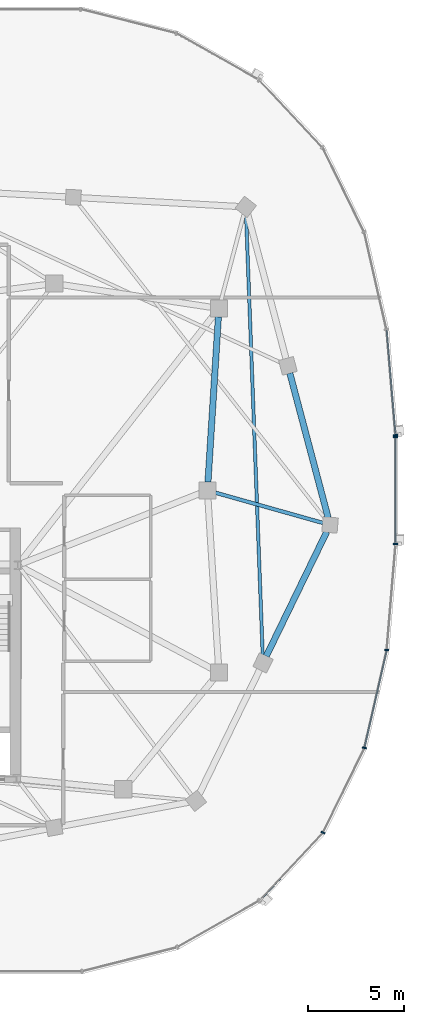
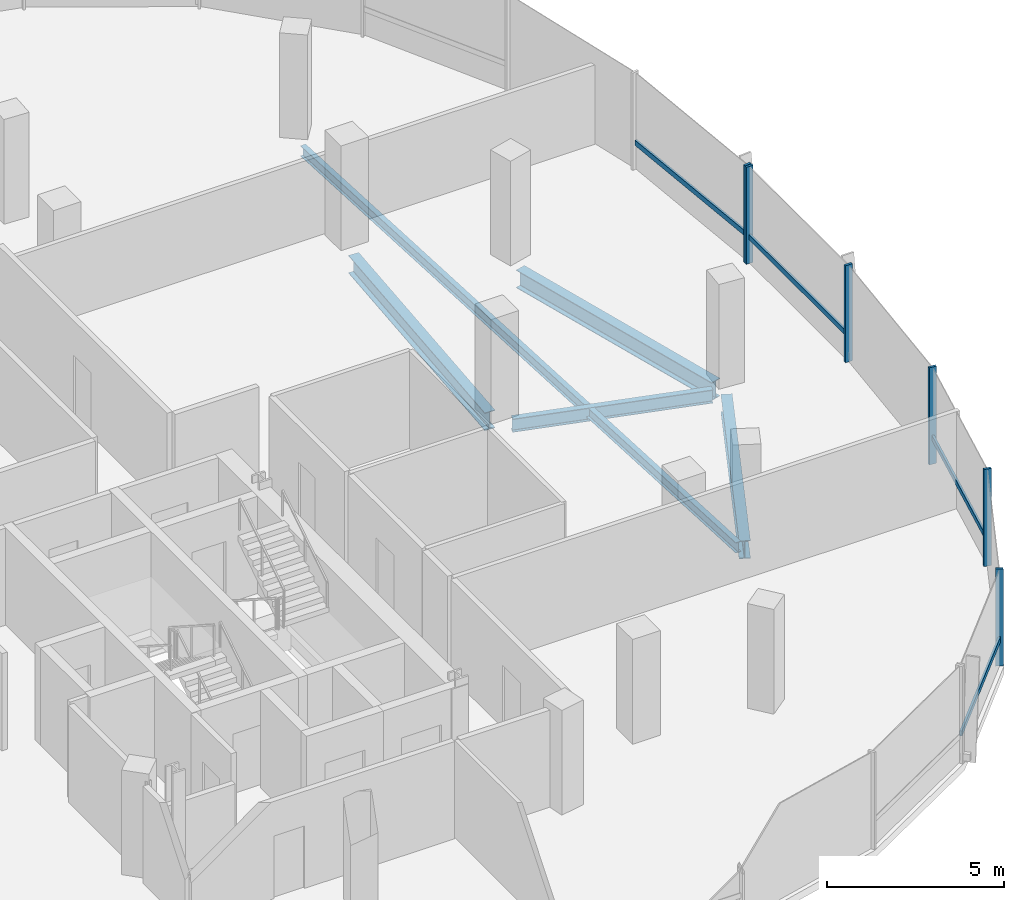
# One storey, part 9 of 25: 10 members, 5 beams, 2 elements without a shape of their own.
"""IFC4 building model written with IfcOpenShell, lengths in metres."""

from ifc_helpers import new_model, si_unit, direction, frame, origin, origin_2d, place, context, subcontext, project, spatial, rectangle, i_section, extrude, material, material_profile, profile_set, type_object, element, aggregate, save


model = new_model("IFC4")

# Units and contexts
model_context = context("Model", 3, precision=1e-05, world=origin(), true_north=direction((0.0, 1.0)))
body_context = subcontext(model_context, "Body", "Model", "MODEL_VIEW")
ifc_project = project(units=[si_unit("LENGTHUNIT", "METRE"), si_unit("AREAUNIT", "SQUARE_METRE"), si_unit("VOLUMEUNIT", "CUBIC_METRE"), si_unit("PLANEANGLEUNIT", "RADIAN"), si_unit("MASSUNIT", "GRAM", prefix="KILO"), si_unit("THERMODYNAMICTEMPERATUREUNIT", "KELVIN"), si_unit("POWERUNIT", "WATT")], contexts=[model_context])

# Site, building, storey
site_placement = place(None, origin())
site = spatial("IfcSite", under=ifc_project, at=site_placement, CompositionType="ELEMENT")
building_placement = place(site_placement, origin())
building = spatial("IfcBuilding", under=site, at=building_placement, Name="Cundina Bronze Exchange", CompositionType="ELEMENT")
storey_placement = place(building_placement, frame((0.0, 0.0, 254.0)))
storey = spatial("IfcBuildingStorey", under=building, at=storey_placement, Name="L67", CompositionType="ELEMENT", Elevation=254.0)

# Beams
ifc_material_1 = material(Name="Steel ASTM A992 Grade 50", Category="steel")
ifc_material_profile_1 = material_profile(ifc_material_1, i_section(OverallWidth=0.19091796875, OverallDepth=0.4599609375, WebThickness=0.010009765625, FlangeThickness=0.01611328125, FilletRadius=0.011962890625, at=origin_2d()), Name="W18X55", Category="steel")
ifc_profile_set_1 = profile_set([ifc_material_profile_1], Name="Steel ASTM A992 Grade 50")
beam_type_1 = type_object("IfcBeamType", Name="BM-FLR-W18B", PredefinedType="BEAM", material=ifc_profile_set_1)
beam_1_placement = place(storey_placement, frame((41.62158203125, -0.11865234375, -0.489990234375), z_axis=(0.962650257113, -0.270748005496, 0.0), x_axis=(0.270748005496, 0.962650257113, 0.0)))
element("IfcBeam", 1, at=beam_1_placement, inside=storey, type_object=beam_type_1, Name="L67 Leg E Chordal Floor Beam 08", PredefinedType="BEAM", context=body_context, shape_type="SweptSolid", body=[
    extrude(i_section(OverallWidth=0.19091796875, OverallDepth=0.4599609375, WebThickness=0.010009765625, FlangeThickness=0.01611328125, FilletRadius=0.011962890625, at=origin_2d()), origin(), (0.0, 0.0, 1.0), 5.822509765625),
])
ifc_material_profile_2 = material_profile(ifc_material_1, i_section(OverallWidth=0.172119140625, OverallDepth=0.35791015625, WebThickness=0.0078125, FlangeThickness=0.01318359375, FilletRadius=0.010009765625, at=origin_2d()), Name="W14X38", Category="steel")
ifc_profile_set_2 = profile_set([ifc_material_profile_2], Name="Steel ASTM A992 Grade 50")
beam_type_2 = type_object("IfcBeamType", Name="BM-JST-W14", PredefinedType="JOIST", material=ifc_profile_set_2)
beam_2_placement = place(storey_placement, frame((44.085205078125, -8.6123046875, -0.43896484375), z_axis=(-0.037784872152, 0.999285896746, 0.0), x_axis=(-0.999285896746, -0.037784872152, 0.0)))
element("IfcBeam", 2, at=beam_2_placement, inside=storey, type_object=beam_type_2, Name="L67 Leg E Lobe Floor Joist 07-10", PredefinedType="JOIST", context=body_context, shape_type="SweptSolid", body=[
    extrude(i_section(OverallWidth=0.172119140625, OverallDepth=0.35791015625, WebThickness=0.0078125, FlangeThickness=0.01318359375, FilletRadius=0.010009765625, at=origin_2d()), origin(), (0.0, 0.0, 1.0), 23.041015625),
])
ifc_material_profile_3 = material_profile(ifc_material_1, i_section(OverallWidth=0.324951171875, OverallDepth=0.615966796875, WebThickness=0.013916015625, FlangeThickness=0.021484375, FilletRadius=0.01611328125, at=origin_2d()), Name="W24X117", Category="steel")
ifc_profile_set_3 = profile_set([ifc_material_profile_3], Name="Steel ASTM A992 Grade 50")
beam_type_3 = type_object("IfcBeamType", Name="BM-RING-W24", PredefinedType="USERDEFINED", material=ifc_profile_set_3)
beam_3_placement = place(storey_placement, frame((41.2275390625, 0.43701171875, -0.568115234375), z_axis=(0.063046519736, 0.998010589297, 0.0), x_axis=(-0.998010589297, 0.063046519736, 0.0)))
element("IfcBeam", 3, at=beam_3_placement, inside=storey, type_object=beam_type_3, Name="L67 E Inner Structural Ring Girder 04", ObjectType="GIRDER", PredefinedType="USERDEFINED", context=body_context, shape_type="SweptSolid", body=[
    extrude(i_section(OverallWidth=0.324951171875, OverallDepth=0.615966796875, WebThickness=0.013916015625, FlangeThickness=0.021484375, FilletRadius=0.01611328125, at=origin_2d()), origin(), (0.0, 0.0, 1.0), 8.64306640625),
])
beam_4_placement = place(storey_placement, frame((44.26953125, -8.65087890625, -0.568115234375), z_axis=(0.437216986791, 0.899356050995, 0.0), x_axis=(-0.899356050995, 0.437216986791, 0.0)))
element("IfcBeam", 4, at=beam_4_placement, inside=storey, type_object=beam_type_3, Name="L67 E Perimeter Ring Girder 07", ObjectType="GIRDER", PredefinedType="USERDEFINED", context=body_context, shape_type="SweptSolid", body=[
    extrude(i_section(OverallWidth=0.324951171875, OverallDepth=0.615966796875, WebThickness=0.013916015625, FlangeThickness=0.021484375, FilletRadius=0.01611328125, at=origin_2d()), origin(), (0.0, 0.0, 1.0), 7.2294921875),
])
beam_5_placement = place(storey_placement, frame((47.50048828125, -1.425048828125, -0.568115234375), z_axis=(-0.256183793797, 0.966628089699, 0.0), x_axis=(-0.966628089699, -0.256183793797, 0.0)))
element("IfcBeam", 5, at=beam_5_placement, inside=storey, type_object=beam_type_3, Name="L67 E Perimeter Ring Girder 08", ObjectType="GIRDER", PredefinedType="USERDEFINED", context=body_context, shape_type="SweptSolid", body=[
    extrude(i_section(OverallWidth=0.324951171875, OverallDepth=0.615966796875, WebThickness=0.013916015625, FlangeThickness=0.021484375, FilletRadius=0.01611328125, at=origin_2d()), origin(), (0.0, 0.0, 1.0), 7.810791015625),
])

# Curtain wall, member
ifc_material_2 = material(Name="Anodised Bronze Aluminium 6063-T6", Category="aluminium")
curtain_wall_type = type_object("IfcCurtainWallType", Name="CWS-SKG-BRG", PredefinedType="NOTDEFINED", material=ifc_material_2)
curtain_wall_1_placement = place(storey_placement, origin())
curtain_wall_1 = element("IfcCurtainWall", 6, at=curtain_wall_1_placement, inside=storey, type_object=curtain_wall_type, Name="L67 CW-06 Curtain Wall Run CWR-L67-E1", PredefinedType="NOTDEFINED")
ifc_material_profile_4 = material_profile(ifc_material_2, rectangle(XDim=0.074951171875, YDim=0.219970703125, at=origin_2d()), Name="AL75X220", Category="aluminium")
ifc_profile_set_4 = profile_set([ifc_material_profile_4], Name="Anodised Bronze Aluminium 6063-T6")
member_type_1 = type_object("IfcMemberType", Name="CWM-MUL-220", PredefinedType="MULLION", material=ifc_profile_set_4)
member_1_placement = place(storey_placement, frame((51.01513671875, 2.885498046875, 0.0), z_axis=(0.0, 0.0, 1.0), x_axis=(-0.083677843332, 0.99649285925, 0.0)))
member_1 = element("IfcMember", 7, at=member_1_placement, type_object=member_type_1, Name="CW-06 Mullion 1", PredefinedType="MULLION", context=body_context, shape_type="SweptSolid", body=[
    extrude(rectangle(XDim=0.074951171875, YDim=0.219970703125, at=origin_2d()), origin(), (0.0, 0.0, 1.0), 3.340087890625),
])

# Curtain wall, members
curtain_wall_2_placement = place(storey_placement, origin())
curtain_wall_2 = element("IfcCurtainWall", 8, at=curtain_wall_2_placement, inside=storey, type_object=curtain_wall_type, Name="L67 CW-06 Curtain Wall Run CWR-L67-E4", PredefinedType="NOTDEFINED")
member_2_placement = place(storey_placement, frame((47.2333984375, -17.856689453125, 0.0), z_axis=(0.0, 0.0, 1.0), x_axis=(0.440566004113, 0.897720221461, 0.0)))
member_2 = element("IfcMember", 9, at=member_2_placement, type_object=member_type_1, Name="CW-06 Mullion 2", PredefinedType="MULLION", context=body_context, shape_type="SweptSolid", body=[
    extrude(rectangle(XDim=0.074951171875, YDim=0.219970703125, at=origin_2d()), origin(), (0.0, 0.0, 1.0), 3.340087890625),
])
member_3_placement = place(storey_placement, frame((49.39404296875, -13.433837890625, 0.0), z_axis=(0.0, 0.0, 1.0), x_axis=(0.223250116011, 0.974761194191, 0.0)))
member_3 = element("IfcMember", 10, at=member_3_placement, type_object=member_type_1, Name="CW-06 Mullion 3", PredefinedType="MULLION", context=body_context, shape_type="SweptSolid", body=[
    extrude(rectangle(XDim=0.074951171875, YDim=0.219970703125, at=origin_2d()), origin(), (0.0, 0.0, 1.0), 3.340087890625),
])
member_4_placement = place(storey_placement, frame((50.557861328125, -8.32568359375, 0.0), z_axis=(0.0, 0.0, 1.0), x_axis=(0.083677843332, 0.99649285925, 0.0)))
member_4 = element("IfcMember", 11, at=member_4_placement, type_object=member_type_1, Name="CW-06 Mullion 4", PredefinedType="MULLION", context=body_context, shape_type="SweptSolid", body=[
    extrude(rectangle(XDim=0.074951171875, YDim=0.219970703125, at=origin_2d()), origin(), (0.0, 0.0, 1.0), 3.340087890625),
])
member_5_placement = place(storey_placement, frame((51.01904296875, -2.79150390625, 0.0), z_axis=(0.0, 0.0, 1.0), x_axis=(0.0, 1.0, 0.0)))
member_5 = element("IfcMember", 12, at=member_5_placement, type_object=member_type_1, Name="CW-06 Mullion 5", PredefinedType="MULLION", context=body_context, shape_type="SweptSolid", body=[
    extrude(rectangle(XDim=0.074951171875, YDim=0.219970703125, at=origin_2d()), origin(), (0.0, 0.0, 1.0), 3.340087890625),
])
member_6_placement = place(storey_placement, frame((51.01904296875, 2.79150390625, 0.0), z_axis=(0.0, 0.0, 1.0), x_axis=(0.0, 1.0, 0.0)))
member_6 = element("IfcMember", 13, at=member_6_placement, type_object=member_type_1, Name="CW-06 End Mullion", PredefinedType="MULLION", context=body_context, shape_type="SweptSolid", body=[
    extrude(rectangle(XDim=0.074951171875, YDim=0.219970703125, at=origin_2d()), origin(), (0.0, 0.0, 1.0), 3.340087890625),
])

# Member
ifc_material_profile_5 = material_profile(ifc_material_2, rectangle(XDim=0.070068359375, YDim=0.179931640625, at=origin_2d()), Name="AL70X180", Category="aluminium")
ifc_profile_set_5 = profile_set([ifc_material_profile_5], Name="Anodised Bronze Aluminium 6063-T6")
member_type_2 = type_object("IfcMemberType", Name="CWM-TRN-180", PredefinedType="USERDEFINED", material=ifc_profile_set_5)
member_7_placement = place(storey_placement, frame((51.01171875, 2.926513671875, 0.919921875), z_axis=(-0.083756005485, 0.996486292703, 0.0), x_axis=(-0.996486292703, -0.083756005485, 0.0)))
member_7 = element("IfcMember", 14, at=member_7_placement, type_object=member_type_2, Name="CW-06 Spandrel Transom 1", ObjectType="TRANSOM", PredefinedType="USERDEFINED", context=body_context, shape_type="SweptSolid", body=[
    extrude(rectangle(XDim=0.070068359375, YDim=0.179931640625, at=origin_2d()), origin(), (0.0, 0.0, 1.0), 5.459716796875),
])

aggregate(curtain_wall_1, [member_1, member_7])

member_8_placement = place(storey_placement, frame((43.968505859375, -21.349609375, 0.919921875), z_axis=(0.684328474899, 0.729173873944, 0.0), x_axis=(-0.729173873944, 0.684328474899, 0.0)))
member_8 = element("IfcMember", 15, at=member_8_placement, type_object=member_type_2, Name="CW-06 Spandrel Transom 1", ObjectType="TRANSOM", PredefinedType="USERDEFINED", context=body_context, shape_type="SweptSolid", body=[
    extrude(rectangle(XDim=0.070068359375, YDim=0.179931640625, at=origin_2d()), origin(), (0.0, 0.0, 1.0), 4.758056640625),
])

member_9_placement = place(storey_placement, frame((49.4033203125, -13.3935546875, 0.919921875), z_axis=(0.223257048806, 0.974759606343, 0.0), x_axis=(-0.974759606343, 0.223257048806, 0.0)))
member_9 = element("IfcMember", 16, at=member_9_placement, type_object=member_type_2, Name="CW-06 Spandrel Transom 3", ObjectType="TRANSOM", PredefinedType="USERDEFINED", context=body_context, shape_type="SweptSolid", body=[
    extrude(rectangle(XDim=0.070068359375, YDim=0.179931640625, at=origin_2d()), origin(), (0.0, 0.0, 1.0), 5.15283203125),
])

member_10_placement = place(storey_placement, frame((51.01904296875, -2.750244140625, 0.919921875), z_axis=(0.0, 1.0, 0.0), x_axis=(-1.0, 0.0, 0.0)))
member_10 = element("IfcMember", 17, at=member_10_placement, type_object=member_type_2, Name="CW-06 Spandrel Transom 5", ObjectType="TRANSOM", PredefinedType="USERDEFINED", context=body_context, shape_type="SweptSolid", body=[
    extrude(rectangle(XDim=0.070068359375, YDim=0.179931640625, at=origin_2d()), origin(), (0.0, 0.0, 1.0), 5.50048828125),
])

aggregate(curtain_wall_2, [member_8, member_2, member_3, member_9, member_4, member_5, member_6, member_10])

save(model, "model.ifc")
